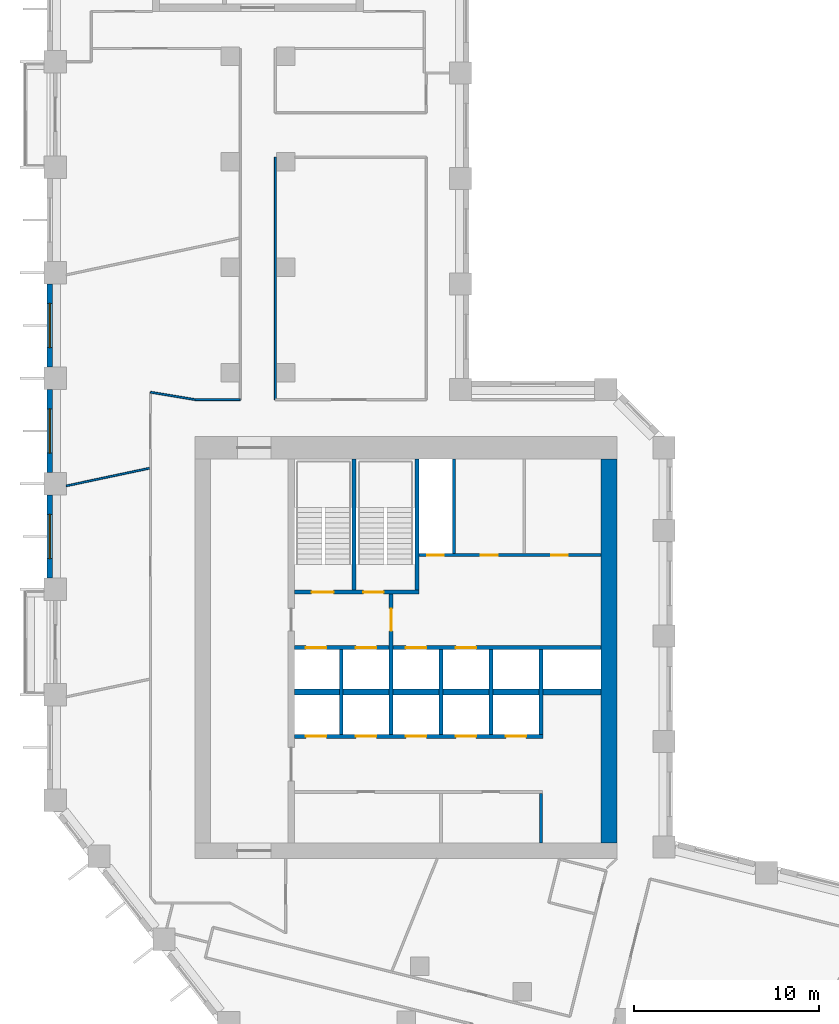
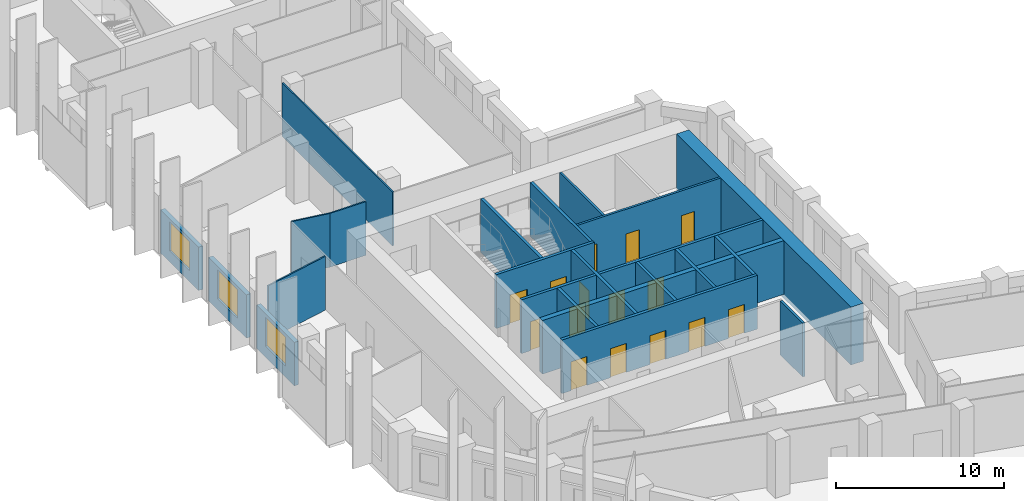
# One storey, part 5 of 10: 22 walls, 15 doors, 3 windows, 18 openings.
"""IFC4 building model written with IfcOpenShell, lengths in metres."""

import ifcopenshell
import ifcopenshell.guid

model = None  # the IFC model being written
_history = None  # IfcOwnerHistory: only IFC2X3 demands one
_inside = {}  # id of a spatial element -> (the spatial element, [elements in it])
_under = {}  # id of a project, library or spatial element -> (it, [spatial elements below it])
_declared = {}  # id of a project -> (the project, [libraries it declares])
_typed = {}  # id of a type object -> (the type object, [elements of that type])
_made_of = {}  # id of a material, layer set ... -> (it, [elements and type objects made of it])


def new_model(schema):
    """Start an empty IFC model of exactly this schema.

    Asked for "IFC4X3", IfcOpenShell would pick the latest addendum, in which some entities
    have other attributes; the version numbers below select the first issue.
    IFC2X3 requires an IfcOwnerHistory on every rooted entity: one is made here for all.
    """
    global model, _history
    if schema == "IFC4X3":
        model = ifcopenshell.file(schema_version=(4, 3, 0, 0))
    else:
        model = ifcopenshell.file(schema=schema)
    _inside.clear()
    _under.clear()
    _declared.clear()
    _typed.clear()
    _made_of.clear()
    _history = None
    if model.schema == "IFC2X3":
        org = make("IfcOrganization", Name="unknown")
        user = make(
            "IfcPersonAndOrganization",
            ThePerson=make("IfcPerson", FamilyName="unknown"),
            TheOrganization=org,
        )
        app = make(
            "IfcApplication",
            ApplicationDeveloper=org,
            Version="unknown",
            ApplicationFullName="unknown",
            ApplicationIdentifier="unknown",
        )
        _history = make(
            "IfcOwnerHistory",
            OwningUser=user,
            OwningApplication=app,
            ChangeAction="ADDED",
            CreationDate=0,
        )
    return model


def make(cls, **values):
    """One entity of the class cls with the attributes given. An attribute that is None is left unset."""
    return model.create_entity(
        cls, **{name: value for name, value in values.items() if value is not None}
    )


def rooted(cls, **values):
    """An entity with a GlobalId (a new one), such as an element, a storey or a relation."""
    return make(cls, GlobalId=ifcopenshell.guid.new(), OwnerHistory=_history, **values)


def si_unit(unit_type, name, prefix=None):
    """IfcSIUnit, for example si_unit("LENGTHUNIT", "METRE", prefix="MILLI")."""
    return make("IfcSIUnit", UnitType=unit_type, Prefix=prefix, Name=name)


def assignment(units):
    """IfcUnitAssignment: the units of a project."""
    return None if units is None else make("IfcUnitAssignment", Units=units)


def point(xyz):
    """IfcCartesianPoint."""
    return None if xyz is None else make("IfcCartesianPoint", Coordinates=xyz)


def direction(xyz):
    """IfcDirection."""
    return None if xyz is None else make("IfcDirection", DirectionRatios=xyz)


def frame(location, z_axis=None, x_axis=None):
    """IfcAxis2Placement3D, a coordinate frame: its origin and axes. An axis left out is left unset."""
    return make(
        "IfcAxis2Placement3D",
        Location=point(location),
        Axis=direction(z_axis),
        RefDirection=direction(x_axis),
    )


def frame_2d(location, x_axis=None):
    """IfcAxis2Placement2D, a coordinate frame in the plane: its origin and x axis."""
    return make(
        "IfcAxis2Placement2D", Location=point(location), RefDirection=direction(x_axis)
    )


def origin():
    """The frame at (0, 0, 0) with its axes left unset."""
    return frame((0.0, 0.0, 0.0))


def place(relative_to, where):
    """IfcLocalPlacement: puts the frame where relative to a parent placement (None: the world)."""
    return make(
        "IfcLocalPlacement", PlacementRelTo=relative_to, RelativePlacement=where
    )


def context(
    kind, dimensions, precision=None, world=None, true_north=None, identifier=None
):
    """IfcGeometricRepresentationContext, for example the 3D "Model" context."""
    return make(
        "IfcGeometricRepresentationContext",
        ContextIdentifier=identifier,
        ContextType=kind,
        CoordinateSpaceDimension=dimensions,
        Precision=precision,
        WorldCoordinateSystem=world,
        TrueNorth=true_north,
    )


def subcontext(parent, identifier, kind, view, scale=None):
    """IfcGeometricRepresentationSubContext, for example "Body" below "Model"."""
    return make(
        "IfcGeometricRepresentationSubContext",
        ContextIdentifier=identifier,
        ContextType=kind,
        ParentContext=parent,
        TargetScale=scale,
        TargetView=view,
    )


def project(units=None, contexts=None):
    """IfcProject with its units and contexts."""
    return rooted(
        "IfcProject",
        Name="project",
        RepresentationContexts=contexts,
        UnitsInContext=assignment(units),
    )


def spatial(cls, under=None, at=None, **own):
    """A site, building, storey or space (cls), placed at a placement, below another one or the project."""
    s = rooted(cls, ObjectPlacement=at, **own)
    if under is not None:
        _under.setdefault(under.id(), (under, []))[1].append(s)
    return s


def profile(cls, at=None, kind="AREA", **sizes):
    """A parametric profile (cls). Its sizes go by their IFC names, for example OverallWidth=200.0."""
    return make(cls, ProfileType=kind, Position=at, **sizes)


def rectangle(**sizes):
    """IfcRectangleProfileDef."""
    return profile("IfcRectangleProfileDef", **sizes)


def extrude(swept, where, along, depth):
    """IfcExtrudedAreaSolid: the profile swept, set in the frame where, extruded along a direction by depth."""
    return make(
        "IfcExtrudedAreaSolid",
        SweptArea=swept,
        Position=where,
        ExtrudedDirection=direction(along),
        Depth=depth,
    )


def shape(context_of_items, identifier, shape_type, items):
    """IfcShapeRepresentation: the items that make up one representation, for example the "Body"."""
    return make(
        "IfcShapeRepresentation",
        ContextOfItems=context_of_items,
        RepresentationIdentifier=identifier,
        RepresentationType=shape_type,
        Items=items,
    )


def material(Name=None, Category=None):
    """IfcMaterial."""
    return make("IfcMaterial", Name=Name, Category=Category)


def layer(
    of_material, thickness, ventilated=None, Name=None, Category=None, Priority=None
):
    """IfcMaterialLayer: one layer of a wall or slab, of a material (None: an air gap)."""
    return make(
        "IfcMaterialLayer",
        Material=of_material,
        LayerThickness=thickness,
        IsVentilated=ventilated,
        Name=Name,
        Category=Category,
        Priority=Priority,
    )


def layer_set(layers, Name=None):
    """IfcMaterialLayerSet."""
    return make("IfcMaterialLayerSet", MaterialLayers=layers, LayerSetName=Name)


def made_of(thing, what):
    """Note that an element or type object is made of a material, layer set ...; save() writes the relation."""
    if what is not None:
        _made_of.setdefault(what.id(), (what, []))[1].append(thing)
    return thing


def type_object(cls, material=None, **own):
    """A type object (cls), such as IfcWallType, which elements share."""
    return made_of(rooted(cls, **own), material)


def element(
    cls,
    number,
    at=None,
    inside=None,
    cuts=None,
    type_object=None,
    material=None,
    context=None,
    identifier="Body",
    shape_type=None,
    held_by="IfcProductDefinitionShape",
    body=None,
    shapes=None,
    **own,
):
    """One element of the class cls, such as IfcWall. Its Tag is "e" and its number.

    at: its placement. inside: the storey or other place that contains it. cuts: it is an
    opening in that element (IfcRelVoidsElement). A single representation is given by context,
    identifier, shape_type and body (its items); several are given by shapes. held_by: the class
    of the entity that holds the representations. save() writes the other relations.
    """
    e = rooted(cls, Tag="e%d" % number, ObjectPlacement=at, **own)
    if body is not None:
        shapes = [shape(context, identifier, shape_type, body)]
    if shapes is not None:
        e.Representation = make(held_by, Representations=shapes)
    if inside is not None:
        _inside.setdefault(inside.id(), (inside, []))[1].append(e)
    if cuts is not None:
        rooted(
            "IfcRelVoidsElement", RelatingBuildingElement=cuts, RelatedOpeningElement=e
        )
    if type_object is not None:
        _typed.setdefault(type_object.id(), (type_object, []))[1].append(e)
    return made_of(e, material)


def fill(opening, filler):
    """IfcRelFillsElement: the door or window that sits in an opening."""
    return rooted(
        "IfcRelFillsElement",
        RelatingOpeningElement=opening,
        RelatedBuildingElement=filler,
    )


def aggregate(whole, parts):
    """IfcRelAggregates: a whole, such as a stair, and the parts it consists of."""
    return rooted("IfcRelAggregates", RelatingObject=whole, RelatedObjects=parts)


def save(model, path):
    """Write the relations noted so far, then the file.

    IfcRelAggregates (storeys below a building ...), IfcRelContainedInSpatialStructure (elements
    in a storey), IfcRelDefinesByType, IfcRelAssociatesMaterial and IfcRelDeclares: one each for
    every whole, place, type object, material and project.
    """
    for whole, parts in _under.values():
        aggregate(whole, parts)
    for where, things in _inside.values():
        rooted(
            "IfcRelContainedInSpatialStructure",
            RelatedElements=things,
            RelatingStructure=where,
        )
    for kind, things in _typed.values():
        rooted("IfcRelDefinesByType", RelatedObjects=things, RelatingType=kind)
    for what, things in _made_of.values():
        rooted("IfcRelAssociatesMaterial", RelatedObjects=things, RelatingMaterial=what)
    for by, libraries in _declared.values():
        rooted("IfcRelDeclares", RelatingContext=by, RelatedDefinitions=libraries)
    model.write(path)


model = new_model("IFC4")

# Units and contexts
model_context = context("Model", 3, precision=1e-05, world=origin(), true_north=direction((0.0, 1.0)))
body_context = subcontext(model_context, "Body", "Model", "MODEL_VIEW")
ifc_project = project(units=[si_unit("LENGTHUNIT", "METRE"), si_unit("AREAUNIT", "SQUARE_METRE"), si_unit("VOLUMEUNIT", "CUBIC_METRE"), si_unit("PLANEANGLEUNIT", "RADIAN"), si_unit("MASSUNIT", "GRAM", prefix="KILO")], contexts=[model_context])

# Site, building, storey
site_placement = place(None, origin())
site = spatial("IfcSite", under=ifc_project, at=site_placement, CompositionType="ELEMENT")
building_placement = place(site_placement, origin())
building = spatial("IfcBuilding", under=site, at=building_placement, Name="Meshkara Civic Tower", CompositionType="ELEMENT")
storey_placement = place(building_placement, frame((0.0, 0.0, 211.800048828125)))
storey = spatial("IfcBuildingStorey", under=building, at=storey_placement, Name="L48", CompositionType="ELEMENT", Elevation=211.800048828125)

# Wall, openings, doors
ifc_material_1 = material(Name="Blockwork", Category="masonry")
ifc_layer_1 = layer(ifc_material_1, 0.14990234375)
ifc_layer_set_1 = layer_set([ifc_layer_1], Name="Core partition 150")
wall_type_1 = type_object("IfcWallType", Name="Core partition 150", PredefinedType="PARTITIONING", material=ifc_layer_set_1)
wall_1_placement = place(storey_placement, frame((20.10009765625, 30.5, 0.0), z_axis=(0.0, 0.0, 1.0), x_axis=(1.0, 0.0, 0.0)))
wall_1 = element("IfcWall", 1, at=wall_1_placement, inside=storey, type_object=wall_type_1, Name="L48-C010", PredefinedType="PARTITIONING", context=body_context, shape_type="SweptSolid", body=[
    extrude(rectangle(XDim=9.849853515625, YDim=0.14990234375, at=frame_2d((4.9248046875, 0.0))), origin(), (0.0, 0.0, 1.0), 3.89990234375),
])
opening_1_placement = place(wall_1_placement, frame((0.449951171875, 0.0, 0.0)))
opening_1 = element("IfcOpeningElement", 2, at=opening_1_placement, cuts=wall_1, Name="Opening L48-K012", PredefinedType="OPENING", context=body_context, shape_type="SweptSolid", body=[
    extrude(rectangle(XDim=0.89990234375, YDim=2.10009765625, at=frame_2d((0.449951171875, 1.050048828125))), frame((0.0, 0.0849609375, 0.0), z_axis=(0.0, -1.0, 0.0), x_axis=(1.0, 0.0, 0.0)), (0.0, 0.0, 1.0), 0.169921875),
])
opening_2_placement = place(wall_1_placement, frame((3.35009765625, 0.0, 0.0)))
opening_2 = element("IfcOpeningElement", 3, at=opening_2_placement, cuts=wall_1, Name="Opening L48-K013", PredefinedType="OPENING", context=body_context, shape_type="SweptSolid", body=[
    extrude(rectangle(XDim=0.89990234375, YDim=2.10009765625, at=frame_2d((0.449951171875, 1.050048828125))), frame((0.0, 0.0849609375, 0.0), z_axis=(0.0, -1.0, 0.0), x_axis=(1.0, 0.0, 0.0)), (0.0, 0.0, 1.0), 0.169921875),
])
opening_3_placement = place(wall_1_placement, frame((7.14990234375, 0.0, 0.0)))
opening_3 = element("IfcOpeningElement", 4, at=opening_3_placement, cuts=wall_1, Name="Opening L48-K014", PredefinedType="OPENING", context=body_context, shape_type="SweptSolid", body=[
    extrude(rectangle(XDim=0.89990234375, YDim=2.10009765625, at=frame_2d((0.449951171875, 1.050048828125))), frame((0.0, 0.0849609375, 0.0), z_axis=(0.0, -1.0, 0.0), x_axis=(1.0, 0.0, 0.0)), (0.0, 0.0, 1.0), 0.169921875),
])
ifc_material_2 = material(Name="Timber door leaf in steel frame", Category="steel")
door_type_1 = type_object("IfcDoorType", Name="Core room door 900", OperationType="SINGLE_SWING_LEFT", PredefinedType="DOOR", material=ifc_material_2)
door_1_placement = place(opening_2_placement, origin())
door_1 = element("IfcDoor", 5, at=door_1_placement, inside=storey, type_object=door_type_1, Name="L48-K013", OperationType="SINGLE_SWING_RIGHT", OverallHeight=2.10009765625, OverallWidth=0.89990234375, PredefinedType="DOOR", context=body_context, shape_type="SweptSolid", body=[
    extrude(rectangle(XDim=0.89990234375, YDim=2.10009765625, at=frame_2d((0.449951171875, 1.050048828125))), frame((0.0, 0.02490234375, 0.0), z_axis=(0.0, -1.0, 0.0), x_axis=(1.0, 0.0, 0.0)), (0.0, 0.0, 1.0), 0.050048828125),
])
fill(opening_2, door_1)
ifc_material_3 = material(Name="Fire-rated door leaf in steel frame", Category="steel")
door_type_2 = type_object("IfcDoorType", Name="Riser door 900", OperationType="SINGLE_SWING_LEFT", PredefinedType="DOOR", material=ifc_material_3)
door_2_placement = place(opening_1_placement, origin())
door_2 = element("IfcDoor", 6, at=door_2_placement, inside=storey, type_object=door_type_2, Name="L48-K012", OperationType="SINGLE_SWING_RIGHT", OverallHeight=2.10009765625, OverallWidth=0.89990234375, PredefinedType="DOOR", context=body_context, shape_type="SweptSolid", body=[
    extrude(rectangle(XDim=0.89990234375, YDim=2.10009765625, at=frame_2d((0.449951171875, 1.050048828125))), frame((0.0, 0.02490234375, 0.0), z_axis=(0.0, -1.0, 0.0), x_axis=(1.0, 0.0, 0.0)), (0.0, 0.0, 1.0), 0.050048828125),
])
fill(opening_1, door_2)
ifc_material_4 = material(Name="Timber door leaf in steel frame", Category="steel")
door_type_3 = type_object("IfcDoorType", Name="WC door 900", OperationType="SINGLE_SWING_LEFT", PredefinedType="DOOR", material=ifc_material_4)
door_3_placement = place(opening_3_placement, origin())
door_3 = element("IfcDoor", 7, at=door_3_placement, inside=storey, type_object=door_type_3, Name="L48-K014", OperationType="SINGLE_SWING_LEFT", OverallHeight=2.10009765625, OverallWidth=0.89990234375, PredefinedType="DOOR", context=body_context, shape_type="SweptSolid", body=[
    extrude(rectangle(XDim=0.89990234375, YDim=2.10009765625, at=frame_2d((0.449951171875, 1.050048828125))), frame((0.0, 0.02490234375, 0.0), z_axis=(0.0, -1.0, 0.0), x_axis=(1.0, 0.0, 0.0)), (0.0, 0.0, 1.0), 0.050048828125),
])
fill(opening_3, door_3)

# Walls
wall_2_placement = place(storey_placement, frame((22.0, 30.574951171875, 0.0), z_axis=(0.0, 0.0, 1.0), x_axis=(0.0, 1.0, 0.0)))
element("IfcWall", 8, at=wall_2_placement, inside=storey, type_object=wall_type_1, Name="L48-C018", PredefinedType="PARTITIONING", context=body_context, shape_type="SweptSolid", body=[
    extrude(rectangle(XDim=5.125, YDim=0.14990234375, at=frame_2d((2.5625, 0.0))), origin(), (0.0, 0.0, 1.0), 3.89990234375),
])
wall_3_placement = place(storey_placement, frame((26.699951171875, 14.949951171875, 0.0), z_axis=(0.0, 0.0, 1.0), x_axis=(0.0, 1.0, 0.0)))
element("IfcWall", 9, at=wall_3_placement, inside=storey, type_object=wall_type_1, Name="L48-C021", PredefinedType="PARTITIONING", context=body_context, shape_type="SweptSolid", body=[
    extrude(rectangle(XDim=2.675048828125, YDim=0.14990234375, at=frame_2d((1.33740234375, 0.0))), origin(), (0.0, 0.0, 1.0), 3.89990234375),
])
ifc_material_5 = material(Name="Concrete C70", Category="concrete")
ifc_layer_2 = layer(ifc_material_5, 0.85009765625)
ifc_layer_set_2 = layer_set([ifc_layer_2], Name="Core ring wall 850 C70")
wall_type_2 = type_object("IfcWallType", Name="Core ring wall 850 C70", PredefinedType="SHEAR", material=ifc_layer_set_2)
wall_4_placement = place(storey_placement, frame((30.375, 14.949951171875, -0.300048828125), z_axis=(0.0, 0.0, 1.0), x_axis=(0.0, 1.0, 0.0)))
element("IfcWall", 10, at=wall_4_placement, inside=storey, type_object=wall_type_2, Name="L48-C004", PredefinedType="SHEAR", context=body_context, shape_type="SweptSolid", body=[
    extrude(rectangle(XDim=20.75, YDim=0.85009765625, at=frame_2d((10.375, 0.0))), origin(), (0.0, 0.0, 1.0), 4.199951171875),
])
ifc_material_6 = material(Name="Concrete C70", Category="concrete")
ifc_layer_3 = layer(ifc_material_6, 0.340087890625)
ifc_layer_set_3 = layer_set([ifc_layer_3], Name="Core shear wall 340 C70")
wall_type_3 = type_object("IfcWallType", Name="Core shear wall 340 C70", PredefinedType="SHEAR", material=ifc_layer_set_3)
wall_5_placement = place(storey_placement, frame((13.3701171875, 23.10009765625, 0.0), z_axis=(0.0, 0.0, 1.0), x_axis=(1.0, 0.0, 0.0)))
element("IfcWall", 11, at=wall_5_placement, inside=storey, type_object=wall_type_3, Name="L48-C007", PredefinedType="SHEAR", context=body_context, shape_type="SweptSolid", body=[
    extrude(rectangle(XDim=16.579833984375, YDim=0.340087890625, at=frame_2d((8.2900390625, 0.0))), origin(), (0.0, 0.0, 1.0), 3.89990234375),
])
ifc_material_7 = material(Name="Corridor wall 100")
ifc_layer_4 = layer(ifc_material_7, 0.10009765625)
ifc_layer_set_4 = layer_set([ifc_layer_4], Name="Corridor wall 100")
wall_type_4 = type_object("IfcWallType", Name="Corridor wall 100", PredefinedType="PARTITIONING", material=ifc_layer_set_4)
wall_6_placement = place(storey_placement, frame((8.0, 38.89990234375, 0.0), z_axis=(0.0, 0.0, 1.0), x_axis=(-0.986383073668, 0.16446407505, 0.0)))
element("IfcWall", 12, at=wall_6_placement, inside=storey, type_object=wall_type_4, Name="L48-W007", PredefinedType="PARTITIONING", context=body_context, shape_type="SweptSolid", body=[
    extrude(rectangle(XDim=2.43310546875, YDim=0.10009765625, at=frame_2d((1.216552734375, 0.0))), origin(), (0.0, 0.0, 1.0), 3.89990234375),
])
wall_7_placement = place(storey_placement, frame((10.449951171875, 38.89990234375, 0.0), z_axis=(0.0, 0.0, 1.0), x_axis=(-1.0, 0.0, 0.0)))
element("IfcWall", 13, at=wall_7_placement, inside=storey, type_object=wall_type_4, Name="L48-W012", PredefinedType="PARTITIONING", context=body_context, shape_type="SweptSolid", body=[
    extrude(rectangle(XDim=2.449951171875, YDim=0.10009765625, at=frame_2d((1.22509765625, 0.0))), origin(), (0.0, 0.0, 1.0), 3.89990234375),
])
wall_8_placement = place(storey_placement, frame((12.35009765625, 38.89990234375, 0.0), z_axis=(0.0, 0.0, 1.0), x_axis=(0.0, 1.0, 0.0)))
element("IfcWall", 14, at=wall_8_placement, inside=storey, type_object=wall_type_4, Name="L48-W014", PredefinedType="PARTITIONING", context=body_context, shape_type="SweptSolid", body=[
    extrude(rectangle(XDim=13.10009765625, YDim=0.10009765625, at=frame_2d((6.550048828125, 0.0))), origin(), (0.0, 0.0, 1.0), 3.89990234375),
])

# Wall, opening, window
ifc_material_8 = material(Name="Insulated infill panel with bronze anodised aluminium cladding", Category="aluminium")
ifc_layer_5 = layer(ifc_material_8, 0.300048828125)
ifc_layer_set_5 = layer_set([ifc_layer_5], Name="EXTERNAL INFILL WALL 300")
wall_type_5 = type_object("IfcWallType", Name="EXTERNAL INFILL WALL 300", PredefinedType="SOLIDWALL", material=ifc_layer_set_5)
wall_9_placement = place(storey_placement, frame((0.14990234375, 45.155029296875, 0.0), z_axis=(0.0, 0.0, 1.0), x_axis=(0.0, -1.0, 0.0)))
wall_9 = element("IfcWall", 15, at=wall_9_placement, inside=storey, type_object=wall_type_5, Name="External wall", PredefinedType="SOLIDWALL", context=body_context, shape_type="SweptSolid", body=[
    extrude(rectangle(XDim=4.5, YDim=0.300048828125, at=frame_2d((2.25, 0.0))), origin(), (0.0, 0.0, 1.0), 3.14990234375),
])
opening_4_placement = place(wall_9_placement, frame((1.050048828125, 0.0, 0.800048828125)))
opening_4 = element("IfcOpeningElement", 16, at=opening_4_placement, cuts=wall_9, Name="Opening W7", PredefinedType="OPENING", context=body_context, shape_type="SweptSolid", body=[
    extrude(rectangle(XDim=2.39990234375, YDim=2.10009765625, at=frame_2d((1.199951171875, 1.050048828125))), frame((0.0, 0.159912109375, 0.0), z_axis=(0.0, -1.0, 0.0), x_axis=(1.0, 0.0, 0.0)), (0.0, 0.0, 1.0), 0.320068359375),
])
ifc_material_9 = material(Name="Tinted double glazing", Category="glass")
window_type = type_object("IfcWindowType", Name="WINDOW 2400x2100", PartitioningType="DOUBLE_PANEL_VERTICAL", PredefinedType="WINDOW", material=ifc_material_9)
window_1_placement = place(opening_4_placement, origin())
window_1 = element("IfcWindow", 17, at=window_1_placement, inside=storey, type_object=window_type, Name="Window", OverallHeight=2.10009765625, OverallWidth=2.39990234375, PartitioningType="DOUBLE_PANEL_VERTICAL", PredefinedType="WINDOW", context=body_context, shape_type="SweptSolid", body=[
    extrude(rectangle(XDim=2.39990234375, YDim=2.10009765625, at=frame_2d((1.199951171875, 1.050048828125))), frame((0.0, 0.030029296875, 0.0), z_axis=(0.0, -1.0, 0.0), x_axis=(1.0, 0.0, 0.0)), (0.0, 0.0, 1.0), 0.06005859375),
])
fill(opening_4, window_1)

wall_10_placement = place(storey_placement, frame((0.14990234375, 39.455078125, 0.0), z_axis=(0.0, 0.0, 1.0), x_axis=(0.0, -1.0, 0.0)))
wall_10 = element("IfcWall", 18, at=wall_10_placement, inside=storey, type_object=wall_type_5, Name="External wall", PredefinedType="SOLIDWALL", context=body_context, shape_type="SweptSolid", body=[
    extrude(rectangle(XDim=4.5, YDim=0.300048828125, at=frame_2d((2.25, 0.0))), origin(), (0.0, 0.0, 1.0), 3.14990234375),
])
opening_5_placement = place(wall_10_placement, frame((1.050048828125, 0.0, 0.800048828125)))
opening_5 = element("IfcOpeningElement", 19, at=opening_5_placement, cuts=wall_10, Name="Opening W7", PredefinedType="OPENING", context=body_context, shape_type="SweptSolid", body=[
    extrude(rectangle(XDim=2.39990234375, YDim=2.10009765625, at=frame_2d((1.199951171875, 1.050048828125))), frame((0.0, 0.159912109375, 0.0), z_axis=(0.0, -1.0, 0.0), x_axis=(1.0, 0.0, 0.0)), (0.0, 0.0, 1.0), 0.320068359375),
])
window_2_placement = place(opening_5_placement, origin())
window_2 = element("IfcWindow", 20, at=window_2_placement, inside=storey, type_object=window_type, Name="Window", OverallHeight=2.10009765625, OverallWidth=2.39990234375, PartitioningType="DOUBLE_PANEL_VERTICAL", PredefinedType="WINDOW", context=body_context, shape_type="SweptSolid", body=[
    extrude(rectangle(XDim=2.39990234375, YDim=2.10009765625, at=frame_2d((1.199951171875, 1.050048828125))), frame((0.0, 0.030029296875, 0.0), z_axis=(0.0, -1.0, 0.0), x_axis=(1.0, 0.0, 0.0)), (0.0, 0.0, 1.0), 0.06005859375),
])
fill(opening_5, window_2)

wall_11_placement = place(storey_placement, frame((0.14990234375, 33.7548828125, 0.0), z_axis=(0.0, 0.0, 1.0), x_axis=(0.0, -1.0, 0.0)))
wall_11 = element("IfcWall", 21, at=wall_11_placement, inside=storey, type_object=wall_type_5, Name="External wall", PredefinedType="SOLIDWALL", context=body_context, shape_type="SweptSolid", body=[
    extrude(rectangle(XDim=4.5, YDim=0.300048828125, at=frame_2d((2.25, 0.0))), origin(), (0.0, 0.0, 1.0), 3.14990234375),
])
opening_6_placement = place(wall_11_placement, frame((1.050048828125, 0.0, 0.800048828125)))
opening_6 = element("IfcOpeningElement", 22, at=opening_6_placement, cuts=wall_11, Name="Opening W7", PredefinedType="OPENING", context=body_context, shape_type="SweptSolid", body=[
    extrude(rectangle(XDim=2.39990234375, YDim=2.10009765625, at=frame_2d((1.199951171875, 1.050048828125))), frame((0.0, 0.159912109375, 0.0), z_axis=(0.0, -1.0, 0.0), x_axis=(1.0, 0.0, 0.0)), (0.0, 0.0, 1.0), 0.320068359375),
])
window_3_placement = place(opening_6_placement, origin())
window_3 = element("IfcWindow", 23, at=window_3_placement, inside=storey, type_object=window_type, Name="Window", OverallHeight=2.10009765625, OverallWidth=2.39990234375, PartitioningType="DOUBLE_PANEL_VERTICAL", PredefinedType="WINDOW", context=body_context, shape_type="SweptSolid", body=[
    extrude(rectangle(XDim=2.39990234375, YDim=2.10009765625, at=frame_2d((1.199951171875, 1.050048828125))), frame((0.0, 0.030029296875, 0.0), z_axis=(0.0, -1.0, 0.0), x_axis=(1.0, 0.0, 0.0)), (0.0, 0.0, 1.0), 0.06005859375),
])
fill(opening_6, window_3)

# Wall
ifc_material_10 = material(Name="Partition 100")
ifc_layer_6 = layer(ifc_material_10, 0.10009765625)
ifc_layer_set_6 = layer_set([ifc_layer_6], Name="Partition 100")
wall_type_6 = type_object("IfcWallType", Name="Partition 100", PredefinedType="PARTITIONING", material=ifc_layer_set_6)
wall_12_placement = place(storey_placement, frame((5.5400390625, 35.19189453125, 0.0), z_axis=(0.0, 0.0, 1.0), x_axis=(-0.978127345263, -0.208006962499, 0.0)))
element("IfcWall", 24, at=wall_12_placement, inside=storey, type_object=wall_type_6, Name="L48-W047", PredefinedType="PARTITIONING", context=body_context, shape_type="SweptSolid", body=[
    extrude(rectangle(XDim=4.59033203125, YDim=0.10009765625, at=frame_2d((2.295166015625, 0.0))), origin(), (0.0, 0.0, 1.0), 3.89990234375),
])

# Wall, openings, doors
ifc_material_11 = material(Name="Concrete C40/50", Category="concrete")
ifc_layer_7 = layer(ifc_material_11, 0.199951171875)
ifc_layer_set_7 = layer_set([ifc_layer_7], Name="Shaft wall 200 C40/50")
wall_type_7 = type_object("IfcWallType", Name="Shaft wall 200 C40/50", PredefinedType="SOLIDWALL", material=ifc_layer_set_7)
wall_13_placement = place(storey_placement, frame((13.3701171875, 20.699951171875, 0.0), z_axis=(0.0, 0.0, 1.0), x_axis=(1.0, 0.0, 0.0)))
wall_13 = element("IfcWall", 25, at=wall_13_placement, inside=storey, type_object=wall_type_7, Name="L48-C006", PredefinedType="SOLIDWALL", context=body_context, shape_type="SweptSolid", body=[
    extrude(rectangle(XDim=13.429931640625, YDim=0.199951171875, at=frame_2d((6.71484375, 0.0))), origin(), (0.0, 0.0, 1.0), 3.89990234375),
])
opening_7_placement = place(wall_13_placement, frame((0.6298828125, 0.0, 0.0)))
opening_7 = element("IfcOpeningElement", 26, at=opening_7_placement, cuts=wall_13, Name="Opening L48-K001", PredefinedType="OPENING", context=body_context, shape_type="SweptSolid", body=[
    extrude(rectangle(XDim=1.10009765625, YDim=2.10009765625, at=frame_2d((0.550048828125, 1.050048828125))), frame((0.0, 0.10986328125, 0.0), z_axis=(0.0, -1.0, 0.0), x_axis=(1.0, 0.0, 0.0)), (0.0, 0.0, 1.0), 0.219970703125),
])
opening_8_placement = place(wall_13_placement, frame((3.330078125, 0.0, 0.0)))
opening_8 = element("IfcOpeningElement", 27, at=opening_8_placement, cuts=wall_13, Name="Opening L48-K002", PredefinedType="OPENING", context=body_context, shape_type="SweptSolid", body=[
    extrude(rectangle(XDim=1.10009765625, YDim=2.10009765625, at=frame_2d((0.550048828125, 1.050048828125))), frame((0.0, 0.10986328125, 0.0), z_axis=(0.0, -1.0, 0.0), x_axis=(1.0, 0.0, 0.0)), (0.0, 0.0, 1.0), 0.219970703125),
])
opening_9_placement = place(wall_13_placement, frame((6.030029296875, 0.0, 0.0)))
opening_9 = element("IfcOpeningElement", 28, at=opening_9_placement, cuts=wall_13, Name="Opening L48-K003", PredefinedType="OPENING", context=body_context, shape_type="SweptSolid", body=[
    extrude(rectangle(XDim=1.10009765625, YDim=2.10009765625, at=frame_2d((0.550048828125, 1.050048828125))), frame((0.0, 0.10986328125, 0.0), z_axis=(0.0, -1.0, 0.0), x_axis=(1.0, 0.0, 0.0)), (0.0, 0.0, 1.0), 0.219970703125),
])
opening_10_placement = place(wall_13_placement, frame((8.72998046875, 0.0, 0.0)))
opening_10 = element("IfcOpeningElement", 29, at=opening_10_placement, cuts=wall_13, Name="Opening L48-K004", PredefinedType="OPENING", context=body_context, shape_type="SweptSolid", body=[
    extrude(rectangle(XDim=1.10009765625, YDim=2.10009765625, at=frame_2d((0.550048828125, 1.050048828125))), frame((0.0, 0.10986328125, 0.0), z_axis=(0.0, -1.0, 0.0), x_axis=(1.0, 0.0, 0.0)), (0.0, 0.0, 1.0), 0.219970703125),
])
opening_11_placement = place(wall_13_placement, frame((11.429931640625, 0.0, 0.0)))
opening_11 = element("IfcOpeningElement", 30, at=opening_11_placement, cuts=wall_13, Name="Opening L48-K005", PredefinedType="OPENING", context=body_context, shape_type="SweptSolid", body=[
    extrude(rectangle(XDim=1.10009765625, YDim=2.10009765625, at=frame_2d((0.550048828125, 1.050048828125))), frame((0.0, 0.10986328125, 0.0), z_axis=(0.0, -1.0, 0.0), x_axis=(1.0, 0.0, 0.0)), (0.0, 0.0, 1.0), 0.219970703125),
])
ifc_material_12 = material(Name="Stainless steel landing door", Category="steel")
door_type_4 = type_object("IfcDoorType", Name="Lift landing door 1100", OperationType="SLIDING_TO_LEFT", PredefinedType="DOOR", material=ifc_material_12)
door_4_placement = place(opening_7_placement, origin())
door_4 = element("IfcDoor", 31, at=door_4_placement, inside=storey, type_object=door_type_4, Name="L48-K001", OperationType="SLIDING_TO_LEFT", OverallHeight=2.10009765625, OverallWidth=1.10009765625, PredefinedType="DOOR", context=body_context, shape_type="SweptSolid", body=[
    extrude(rectangle(XDim=1.10009765625, YDim=2.10009765625, at=frame_2d((0.550048828125, 1.050048828125))), frame((0.0, 0.02490234375, 0.0), z_axis=(0.0, -1.0, 0.0), x_axis=(1.0, 0.0, 0.0)), (0.0, 0.0, 1.0), 0.050048828125),
])
fill(opening_7, door_4)
door_5_placement = place(opening_8_placement, origin())
door_5 = element("IfcDoor", 32, at=door_5_placement, inside=storey, type_object=door_type_4, Name="L48-K002", OperationType="SLIDING_TO_LEFT", OverallHeight=2.10009765625, OverallWidth=1.10009765625, PredefinedType="DOOR", context=body_context, shape_type="SweptSolid", body=[
    extrude(rectangle(XDim=1.10009765625, YDim=2.10009765625, at=frame_2d((0.550048828125, 1.050048828125))), frame((0.0, 0.02490234375, 0.0), z_axis=(0.0, -1.0, 0.0), x_axis=(1.0, 0.0, 0.0)), (0.0, 0.0, 1.0), 0.050048828125),
])
fill(opening_8, door_5)
door_6_placement = place(opening_9_placement, origin())
door_6 = element("IfcDoor", 33, at=door_6_placement, inside=storey, type_object=door_type_4, Name="L48-K003", OperationType="SLIDING_TO_LEFT", OverallHeight=2.10009765625, OverallWidth=1.10009765625, PredefinedType="DOOR", context=body_context, shape_type="SweptSolid", body=[
    extrude(rectangle(XDim=1.10009765625, YDim=2.10009765625, at=frame_2d((0.550048828125, 1.050048828125))), frame((0.0, 0.02490234375, 0.0), z_axis=(0.0, -1.0, 0.0), x_axis=(1.0, 0.0, 0.0)), (0.0, 0.0, 1.0), 0.050048828125),
])
fill(opening_9, door_6)
door_7_placement = place(opening_10_placement, origin())
door_7 = element("IfcDoor", 34, at=door_7_placement, inside=storey, type_object=door_type_4, Name="L48-K004", OperationType="SLIDING_TO_LEFT", OverallHeight=2.10009765625, OverallWidth=1.10009765625, PredefinedType="DOOR", context=body_context, shape_type="SweptSolid", body=[
    extrude(rectangle(XDim=1.10009765625, YDim=2.10009765625, at=frame_2d((0.550048828125, 1.050048828125))), frame((0.0, 0.02490234375, 0.0), z_axis=(0.0, -1.0, 0.0), x_axis=(1.0, 0.0, 0.0)), (0.0, 0.0, 1.0), 0.050048828125),
])
fill(opening_10, door_7)
door_8_placement = place(opening_11_placement, origin())
door_8 = element("IfcDoor", 35, at=door_8_placement, inside=storey, type_object=door_type_4, Name="L48-K005", OperationType="SLIDING_TO_LEFT", OverallHeight=2.10009765625, OverallWidth=1.10009765625, PredefinedType="DOOR", context=body_context, shape_type="SweptSolid", body=[
    extrude(rectangle(XDim=1.10009765625, YDim=2.10009765625, at=frame_2d((0.550048828125, 1.050048828125))), frame((0.0, 0.02490234375, 0.0), z_axis=(0.0, -1.0, 0.0), x_axis=(1.0, 0.0, 0.0)), (0.0, 0.0, 1.0), 0.050048828125),
])
fill(opening_11, door_8)

wall_14_placement = place(storey_placement, frame((13.3701171875, 25.5, 0.0), z_axis=(0.0, 0.0, 1.0), x_axis=(1.0, 0.0, 0.0)))
wall_14 = element("IfcWall", 36, at=wall_14_placement, inside=storey, type_object=wall_type_7, Name="L48-C008", PredefinedType="SOLIDWALL", context=body_context, shape_type="SweptSolid", body=[
    extrude(rectangle(XDim=16.579833984375, YDim=0.199951171875, at=frame_2d((8.2900390625, 0.0))), origin(), (0.0, 0.0, 1.0), 3.89990234375),
])
opening_12_placement = place(wall_14_placement, frame((0.6298828125, 0.0, 0.0)))
opening_12 = element("IfcOpeningElement", 37, at=opening_12_placement, cuts=wall_14, Name="Opening L48-K006", PredefinedType="OPENING", context=body_context, shape_type="SweptSolid", body=[
    extrude(rectangle(XDim=1.10009765625, YDim=2.10009765625, at=frame_2d((0.550048828125, 1.050048828125))), frame((0.0, 0.10986328125, 0.0), z_axis=(0.0, -1.0, 0.0), x_axis=(1.0, 0.0, 0.0)), (0.0, 0.0, 1.0), 0.219970703125),
])
opening_13_placement = place(wall_14_placement, frame((3.330078125, 0.0, 0.0)))
opening_13 = element("IfcOpeningElement", 38, at=opening_13_placement, cuts=wall_14, Name="Opening L48-K007", PredefinedType="OPENING", context=body_context, shape_type="SweptSolid", body=[
    extrude(rectangle(XDim=1.10009765625, YDim=2.10009765625, at=frame_2d((0.550048828125, 1.050048828125))), frame((0.0, 0.10986328125, 0.0), z_axis=(0.0, -1.0, 0.0), x_axis=(1.0, 0.0, 0.0)), (0.0, 0.0, 1.0), 0.219970703125),
])
opening_14_placement = place(wall_14_placement, frame((6.030029296875, 0.0, 0.0)))
opening_14 = element("IfcOpeningElement", 39, at=opening_14_placement, cuts=wall_14, Name="Opening L48-K008", PredefinedType="OPENING", context=body_context, shape_type="SweptSolid", body=[
    extrude(rectangle(XDim=1.10009765625, YDim=2.10009765625, at=frame_2d((0.550048828125, 1.050048828125))), frame((0.0, 0.10986328125, 0.0), z_axis=(0.0, -1.0, 0.0), x_axis=(1.0, 0.0, 0.0)), (0.0, 0.0, 1.0), 0.219970703125),
])
opening_15_placement = place(wall_14_placement, frame((8.72998046875, 0.0, 0.0)))
opening_15 = element("IfcOpeningElement", 40, at=opening_15_placement, cuts=wall_14, Name="Opening L48-K009", PredefinedType="OPENING", context=body_context, shape_type="SweptSolid", body=[
    extrude(rectangle(XDim=1.10009765625, YDim=2.10009765625, at=frame_2d((0.550048828125, 1.050048828125))), frame((0.0, 0.10986328125, 0.0), z_axis=(0.0, -1.0, 0.0), x_axis=(1.0, 0.0, 0.0)), (0.0, 0.0, 1.0), 0.219970703125),
])
door_9_placement = place(opening_12_placement, origin())
door_9 = element("IfcDoor", 41, at=door_9_placement, inside=storey, type_object=door_type_4, Name="L48-K006", OperationType="SLIDING_TO_LEFT", OverallHeight=2.10009765625, OverallWidth=1.10009765625, PredefinedType="DOOR", context=body_context, shape_type="SweptSolid", body=[
    extrude(rectangle(XDim=1.10009765625, YDim=2.10009765625, at=frame_2d((0.550048828125, 1.050048828125))), frame((0.0, 0.02490234375, 0.0), z_axis=(0.0, -1.0, 0.0), x_axis=(1.0, 0.0, 0.0)), (0.0, 0.0, 1.0), 0.050048828125),
])
fill(opening_12, door_9)
door_10_placement = place(opening_13_placement, origin())
door_10 = element("IfcDoor", 42, at=door_10_placement, inside=storey, type_object=door_type_4, Name="L48-K007", OperationType="SLIDING_TO_LEFT", OverallHeight=2.10009765625, OverallWidth=1.10009765625, PredefinedType="DOOR", context=body_context, shape_type="SweptSolid", body=[
    extrude(rectangle(XDim=1.10009765625, YDim=2.10009765625, at=frame_2d((0.550048828125, 1.050048828125))), frame((0.0, 0.02490234375, 0.0), z_axis=(0.0, -1.0, 0.0), x_axis=(1.0, 0.0, 0.0)), (0.0, 0.0, 1.0), 0.050048828125),
])
fill(opening_13, door_10)
door_11_placement = place(opening_14_placement, origin())
door_11 = element("IfcDoor", 43, at=door_11_placement, inside=storey, type_object=door_type_4, Name="L48-K008", OperationType="SLIDING_TO_LEFT", OverallHeight=2.10009765625, OverallWidth=1.10009765625, PredefinedType="DOOR", context=body_context, shape_type="SweptSolid", body=[
    extrude(rectangle(XDim=1.10009765625, YDim=2.10009765625, at=frame_2d((0.550048828125, 1.050048828125))), frame((0.0, 0.02490234375, 0.0), z_axis=(0.0, -1.0, 0.0), x_axis=(1.0, 0.0, 0.0)), (0.0, 0.0, 1.0), 0.050048828125),
])
fill(opening_14, door_11)
door_12_placement = place(opening_15_placement, origin())
door_12 = element("IfcDoor", 44, at=door_12_placement, inside=storey, type_object=door_type_4, Name="L48-K009", OperationType="SLIDING_TO_LEFT", OverallHeight=2.10009765625, OverallWidth=1.10009765625, PredefinedType="DOOR", context=body_context, shape_type="SweptSolid", body=[
    extrude(rectangle(XDim=1.10009765625, YDim=2.10009765625, at=frame_2d((0.550048828125, 1.050048828125))), frame((0.0, 0.02490234375, 0.0), z_axis=(0.0, -1.0, 0.0), x_axis=(1.0, 0.0, 0.0)), (0.0, 0.0, 1.0), 0.050048828125),
])
fill(opening_15, door_12)

# Wall
wall_15_placement = place(storey_placement, frame((15.89990234375, 20.800048828125, 0.0), z_axis=(0.0, 0.0, 1.0), x_axis=(0.0, 1.0, 0.0)))
element("IfcWall", 45, at=wall_15_placement, inside=storey, type_object=wall_type_7, Name="L48-C012", PredefinedType="SOLIDWALL", context=body_context, shape_type="SweptSolid", body=[
    extrude(rectangle(XDim=4.599853515625, YDim=0.199951171875, at=frame_2d((2.2998046875, 0.0))), origin(), (0.0, 0.0, 1.0), 3.89990234375),
])

# Wall, opening, door
wall_16_placement = place(storey_placement, frame((18.60009765625, 20.800048828125, 0.0), z_axis=(0.0, 0.0, 1.0), x_axis=(0.0, 1.0, 0.0)))
wall_16 = element("IfcWall", 46, at=wall_16_placement, inside=storey, type_object=wall_type_7, Name="L48-C014", PredefinedType="SOLIDWALL", context=body_context, shape_type="SweptSolid", body=[
    extrude(rectangle(XDim=7.599853515625, YDim=0.199951171875, at=frame_2d((3.7998046875, 0.0))), origin(), (0.0, 0.0, 1.0), 3.89990234375),
])
opening_16_placement = place(wall_16_placement, frame((5.60009765625, 0.0, 0.0)))
opening_16 = element("IfcOpeningElement", 47, at=opening_16_placement, cuts=wall_16, Name="Opening L48-K019", PredefinedType="OPENING", context=body_context, shape_type="SweptSolid", body=[
    extrude(rectangle(XDim=1.199951171875, YDim=2.10009765625, at=frame_2d((0.60009765625, 1.050048828125))), frame((0.0, 0.10986328125, 0.0), z_axis=(0.0, -1.0, 0.0), x_axis=(1.0, 0.0, 0.0)), (0.0, 0.0, 1.0), 0.219970703125),
])
ifc_material_13 = material(Name="Fire-rated door leaf in steel frame", Category="steel")
door_type_5 = type_object("IfcDoorType", Name="Fire-fighting lobby door 1200 EI 120", OperationType="SINGLE_SWING_LEFT", PredefinedType="DOOR", material=ifc_material_13)
door_13_placement = place(opening_16_placement, origin())
door_13 = element("IfcDoor", 48, at=door_13_placement, inside=storey, type_object=door_type_5, Name="L48-K019", OperationType="SINGLE_SWING_RIGHT", OverallHeight=2.10009765625, OverallWidth=1.199951171875, PredefinedType="DOOR", context=body_context, shape_type="SweptSolid", body=[
    extrude(rectangle(XDim=1.199951171875, YDim=2.10009765625, at=frame_2d((0.60009765625, 1.050048828125))), frame((0.0, 0.02490234375, 0.0), z_axis=(0.0, -1.0, 0.0), x_axis=(1.0, 0.0, 0.0)), (0.0, 0.0, 1.0), 0.050048828125),
])
fill(opening_16, door_13)

# Walls
for number, where, z_axis, x_axis, name in (
    (49, (21.300048828125, 20.800048828125, 0.0), (0.0, 0.0, 1.0), (0.0, 1.0, 0.0), "L48-C017"),
    (50, (24.0, 20.800048828125, 0.0), (0.0, 0.0, 1.0), (0.0, 1.0, 0.0), "L48-C019"),
    (51, (26.699951171875, 20.800048828125, 0.0), (0.0, 0.0, 1.0), (0.0, 1.0, 0.0), "L48-C022"),
):
    element("IfcWall", number, at=place(storey_placement, frame(where, z_axis=z_axis, x_axis=x_axis)), inside=storey, type_object=wall_type_7, Name=name, PredefinedType="SOLIDWALL", context=body_context, shape_type="SweptSolid", body=[
        extrude(rectangle(XDim=4.599853515625, YDim=0.199951171875, at=frame_2d((2.2998046875, 0.0))), origin(), (0.0, 0.0, 1.0), 3.89990234375),
    ])

# Wall, openings, doors
ifc_material_14 = material(Name="Concrete C40/50", Category="concrete")
ifc_layer_8 = layer(ifc_material_14, 0.199951171875)
ifc_layer_set_8 = layer_set([ifc_layer_8], Name="Stair enclosure wall 200 C40/50")
wall_type_8 = type_object("IfcWallType", Name="Stair enclosure wall 200 C40/50", PredefinedType="SOLIDWALL", material=ifc_layer_set_8)
wall_17_placement = place(storey_placement, frame((13.3701171875, 28.5, 0.0), z_axis=(0.0, 0.0, 1.0), x_axis=(1.0, 0.0, 0.0)))
wall_17 = element("IfcWall", 52, at=wall_17_placement, inside=storey, type_object=wall_type_8, Name="L48-C009", PredefinedType="SOLIDWALL", context=body_context, shape_type="SweptSolid", body=[
    extrude(rectangle(XDim=6.72998046875, YDim=0.199951171875, at=frame_2d((3.364990234375, 0.0))), origin(), (0.0, 0.0, 1.0), 3.89990234375),
])
opening_17_placement = place(wall_17_placement, frame((0.929931640625, 0.0, 0.0)))
opening_17 = element("IfcOpeningElement", 53, at=opening_17_placement, cuts=wall_17, Name="Opening L48-K015", PredefinedType="OPENING", context=body_context, shape_type="SweptSolid", body=[
    extrude(rectangle(XDim=1.199951171875, YDim=2.10009765625, at=frame_2d((0.60009765625, 1.050048828125))), frame((0.0, 0.10986328125, 0.0), z_axis=(0.0, -1.0, 0.0), x_axis=(1.0, 0.0, 0.0)), (0.0, 0.0, 1.0), 0.219970703125),
])
opening_18_placement = place(wall_17_placement, frame((3.72998046875, 0.0, 0.0)))
opening_18 = element("IfcOpeningElement", 54, at=opening_18_placement, cuts=wall_17, Name="Opening L48-K016", PredefinedType="OPENING", context=body_context, shape_type="SweptSolid", body=[
    extrude(rectangle(XDim=1.10009765625, YDim=2.10009765625, at=frame_2d((0.550048828125, 1.050048828125))), frame((0.0, 0.10986328125, 0.0), z_axis=(0.0, -1.0, 0.0), x_axis=(1.0, 0.0, 0.0)), (0.0, 0.0, 1.0), 0.219970703125),
])
ifc_material_15 = material(Name="Fire-rated door leaf in steel frame", Category="steel")
door_type_6 = type_object("IfcDoorType", Name="Stair door 1100 EI 120", OperationType="SINGLE_SWING_LEFT", PredefinedType="DOOR", material=ifc_material_15)
door_14_placement = place(opening_18_placement, origin())
door_14 = element("IfcDoor", 55, at=door_14_placement, inside=storey, type_object=door_type_6, Name="L48-K016", OperationType="SINGLE_SWING_LEFT", OverallHeight=2.10009765625, OverallWidth=1.10009765625, PredefinedType="DOOR", context=body_context, shape_type="SweptSolid", body=[
    extrude(rectangle(XDim=1.10009765625, YDim=2.10009765625, at=frame_2d((0.550048828125, 1.050048828125))), frame((0.0, 0.02490234375, 0.0), z_axis=(0.0, -1.0, 0.0), x_axis=(1.0, 0.0, 0.0)), (0.0, 0.0, 1.0), 0.050048828125),
])
fill(opening_18, door_14)
ifc_material_16 = material(Name="Fire-rated door leaf in steel frame", Category="steel")
door_type_7 = type_object("IfcDoorType", Name="Stair door 1200 EI 120", OperationType="SINGLE_SWING_LEFT", PredefinedType="DOOR", material=ifc_material_16)
door_15_placement = place(opening_17_placement, origin())
door_15 = element("IfcDoor", 56, at=door_15_placement, inside=storey, type_object=door_type_7, Name="L48-K015", OperationType="SINGLE_SWING_RIGHT", OverallHeight=2.10009765625, OverallWidth=1.199951171875, PredefinedType="DOOR", context=body_context, shape_type="SweptSolid", body=[
    extrude(rectangle(XDim=1.199951171875, YDim=2.10009765625, at=frame_2d((0.60009765625, 1.050048828125))), frame((0.0, 0.02490234375, 0.0), z_axis=(0.0, -1.0, 0.0), x_axis=(1.0, 0.0, 0.0)), (0.0, 0.0, 1.0), 0.050048828125),
])
fill(opening_17, door_15)

# Walls
for number, where, z_axis, x_axis, name in (
    (57, (16.60009765625, 28.60009765625, 0.0), (0.0, 0.0, 1.0), (0.0, 1.0, 0.0), "L48-C013"),
    (58, (20.0, 28.60009765625, 0.0), (0.0, 0.0, 1.0), (0.0, 1.0, 0.0), "L48-C015"),
):
    element("IfcWall", number, at=place(storey_placement, frame(where, z_axis=z_axis, x_axis=x_axis)), inside=storey, type_object=wall_type_8, Name=name, PredefinedType="SOLIDWALL", context=body_context, shape_type="SweptSolid", body=[
        extrude(rectangle(XDim=7.099853515625, YDim=0.199951171875, at=frame_2d((3.5498046875, 0.0))), origin(), (0.0, 0.0, 1.0), 3.89990234375),
    ])

save(model, "model.ifc")
